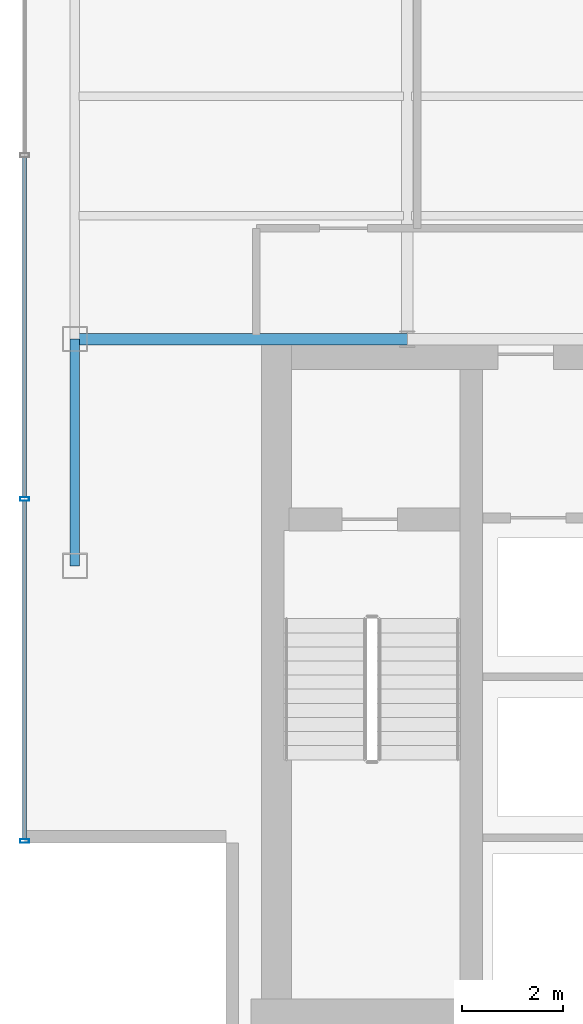
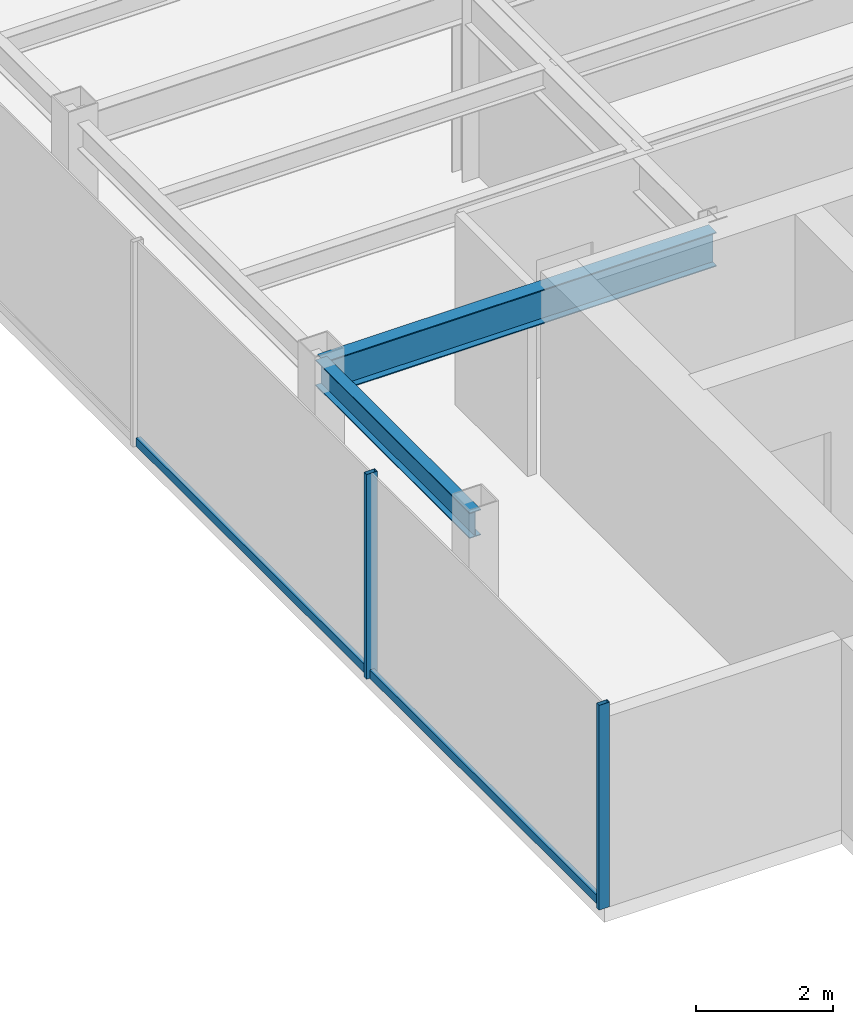
# One storey, part 3 of 22: 4 members, 2 beams, 1 element without a shape of its own.
"""IFC4 building model written with IfcOpenShell, lengths in metres."""

from ifc_helpers import new_model, si_unit, derived_unit, direction, frame, origin, origin_2d, place, context, subcontext, project, spatial, hollow_rectangle, i_section, extrude, source, transform, mapped, material, material_profile, profile_set, type_object, element, aggregate, save


model = new_model("IFC4")

# Units and contexts
model_context = context("Model", 3, precision=1e-05, world=origin(), true_north=direction((0.0, 1.0)))
body_context = subcontext(model_context, "Body", "Model", "MODEL_VIEW")
ifc_project = project(units=[si_unit("LENGTHUNIT", "METRE"), si_unit("AREAUNIT", "SQUARE_METRE"), si_unit("VOLUMEUNIT", "CUBIC_METRE"), si_unit("PLANEANGLEUNIT", "RADIAN"), si_unit("MASSUNIT", "GRAM", prefix="KILO"), derived_unit("THERMALTRANSMITTANCEUNIT", [(si_unit("POWERUNIT", "WATT"), 1), (si_unit("LENGTHUNIT", "METRE"), -2), (si_unit("THERMODYNAMICTEMPERATUREUNIT", "KELVIN"), -1)])], contexts=[model_context])

# Site, building, storey
site_placement = place(None, origin())
site = spatial("IfcSite", under=ifc_project, at=site_placement, CompositionType="ELEMENT")
building_placement = place(site_placement, origin())
building = spatial("IfcBuilding", under=site, at=building_placement, Name="Skarnbrae Concourse Arena and Tower", CompositionType="ELEMENT")
storey_placement = place(building_placement, frame((0.0, 0.0, 217.800048828125)))
storey = spatial("IfcBuildingStorey", under=building, at=storey_placement, Name="L56", CompositionType="ELEMENT", Elevation=217.800048828125)

# Beams
ifc_material_1 = material(Name="Steel CSA G40.21 350W", Category="steel")
ifc_material_profile_1 = material_profile(ifc_material_1, i_section(OverallWidth=0.22802734375, OverallDepth=0.60791015625, WebThickness=0.01123046875, FlangeThickness=0.017333984375, at=origin_2d()), Name="W610X113")
ifc_profile_set_1 = profile_set([ifc_material_profile_1], Name="Steel CSA G40.21 350W")
beam_type_1 = type_object("IfcBeamType", Name="BM-GIRD-W610X113", PredefinedType="BEAM", material=ifc_profile_set_1)
shared_shape_1 = source(origin(), body_context, "Body", "SweptSolid", [
    extrude(i_section(OverallWidth=0.22802734375, OverallDepth=0.60791015625, WebThickness=0.01123046875, FlangeThickness=0.017333984375, at=origin_2d()), origin(), (0.0, 0.0, 1.0), 6.60009765625),
])
beam_1_placement = place(storey_placement, frame((1.0, 14.0, 3.095947265625), z_axis=(1.0, 0.0, 0.0), x_axis=(0.0, 1.0, 0.0)))
element("IfcBeam", 1, at=beam_1_placement, inside=storey, type_object=beam_type_1, Name="L56 Primary E-W girder Y14.0-1", PredefinedType="BEAM", context=body_context, shape_type="MappedRepresentation", body=[
    mapped(shared_shape_1, transform((0.0, 0.0, 0.0))),
])
ifc_material_profile_2 = material_profile(ifc_material_1, i_section(OverallWidth=0.19091796875, OverallDepth=0.4599609375, WebThickness=0.010009765625, FlangeThickness=0.01611328125, at=origin_2d()), Name="W460X82")
ifc_profile_set_2 = profile_set([ifc_material_profile_2], Name="Steel CSA G40.21 350W")
beam_type_2 = type_object("IfcBeamType", Name="BM-SPAN-W460X82", PredefinedType="SPANDREL", material=ifc_profile_set_2)
shared_shape_2 = source(origin(), body_context, "Body", "SweptSolid", [
    extrude(i_section(OverallWidth=0.19091796875, OverallDepth=0.4599609375, WebThickness=0.010009765625, FlangeThickness=0.01611328125, at=origin_2d()), origin(), (0.0, 0.0, 1.0), 4.5),
])
beam_2_placement = place(storey_placement, frame((1.0, 9.5, 3.169921875), z_axis=(0.0, 1.0, 0.0), x_axis=(-1.0, 0.0, 0.0)))
element("IfcBeam", 2, at=beam_2_placement, inside=storey, type_object=beam_type_2, Name="L56 Perimeter spandrel X1.0-1", PredefinedType="SPANDREL", context=body_context, shape_type="MappedRepresentation", body=[
    mapped(shared_shape_2, transform((0.0, 0.0, 0.0))),
])

# Curtain wall, members
ifc_material_2 = material(Name="Bronze anodised aluminium 6063-T6", Category="aluminium")
curtain_wall_type = type_object("IfcCurtainWallType", Name="CW-SYS-05-HIGHZONE", PredefinedType="USERDEFINED", material=ifc_material_2)
curtain_wall_placement = place(storey_placement, origin())
curtain_wall = element("IfcCurtainWall", 3, at=curtain_wall_placement, inside=storey, type_object=curtain_wall_type, Name="L56 Unitised curtain wall CW-L56-E18", ObjectType="UNITISED CURTAIN WALL", PredefinedType="USERDEFINED")
ifc_material_profile_3 = material_profile(ifc_material_2, hollow_rectangle(XDim=0.074951171875, YDim=0.179931640625, WallThickness=0.00390625, at=origin_2d()), Name="ALU-MULL-75X180")
ifc_profile_set_3 = profile_set([ifc_material_profile_3], Name="Bronze anodised aluminium 6063-T6")
member_type_1 = type_object("IfcMemberType", Name="CWM-CW-05", PredefinedType="MULLION", material=ifc_profile_set_3)
shared_shape_3 = source(origin(), body_context, "Body", "SweptSolid", [
    extrude(hollow_rectangle(XDim=0.074951171875, YDim=0.179931640625, WallThickness=0.00390625, at=origin_2d()), origin(), (0.0, 0.0, 1.0), 3.64990234375),
])
member_1_placement = place(storey_placement, frame((0.0, 10.824951171875, 0.0), z_axis=(0.0, 0.0, 1.0), x_axis=(0.0, -1.0, 0.0)))
member_1 = element("IfcMember", 4, at=member_1_placement, type_object=member_type_1, Name="CW-L56-E18 Mullion 4", PredefinedType="MULLION", context=body_context, shape_type="MappedRepresentation", body=[
    mapped(shared_shape_3, transform((0.0, 0.0, 0.0))),
])
member_2_placement = place(storey_placement, frame((0.0, 4.03759765625, 0.0), z_axis=(0.0, 0.0, 1.0), x_axis=(0.0, -1.0, 0.0)))
member_2 = element("IfcMember", 5, at=member_2_placement, type_object=member_type_1, Name="CW-L56-E18 Mullion 5", PredefinedType="MULLION", context=body_context, shape_type="MappedRepresentation", body=[
    mapped(shared_shape_3, transform((0.0, 0.0, 0.0))),
])
ifc_material_profile_4 = material_profile(ifc_material_2, hollow_rectangle(XDim=0.074951171875, YDim=0.14990234375, WallThickness=0.00390625, at=origin_2d()), Name="ALU-TRAN-75X150")
ifc_profile_set_4 = profile_set([ifc_material_profile_4], Name="Bronze anodised aluminium 6063-T6")
member_type_2 = type_object("IfcMemberType", Name="CWT-CW-05", PredefinedType="USERDEFINED", material=ifc_profile_set_4)
shared_shape_4 = source(origin(), body_context, "Body", "SweptSolid", [
    extrude(hollow_rectangle(XDim=0.074951171875, YDim=0.14990234375, WallThickness=0.00390625, at=origin_2d()), origin(), (0.0, 0.0, 1.0), 6.712646484375),
])
member_3_placement = place(storey_placement, frame((0.0, 10.78759765625, 0.074951171875), z_axis=(0.0, -1.0, 0.0), x_axis=(1.0, 0.0, 0.0)))
member_3 = element("IfcMember", 6, at=member_3_placement, type_object=member_type_2, Name="CW-L56-E18 Transom 4", ObjectType="TRANSOM", PredefinedType="USERDEFINED", context=body_context, shape_type="MappedRepresentation", body=[
    mapped(shared_shape_4, transform((0.0, 0.0, 0.0))),
])
shared_shape_5 = source(origin(), body_context, "Body", "SweptSolid", [
    extrude(hollow_rectangle(XDim=0.074951171875, YDim=0.14990234375, WallThickness=0.00390625, at=origin_2d()), origin(), (0.0, 0.0, 1.0), 6.75),
])
member_4_placement = place(storey_placement, frame((0.0, 17.612548828125, 0.074951171875), z_axis=(0.0, -1.0, 0.0), x_axis=(1.0, 0.0, 0.0)))
member_4 = element("IfcMember", 7, at=member_4_placement, type_object=member_type_2, Name="CW-L56-E18 Transom 3", ObjectType="TRANSOM", PredefinedType="USERDEFINED", context=body_context, shape_type="MappedRepresentation", body=[
    mapped(shared_shape_5, transform((0.0, 0.0, 0.0))),
])
aggregate(curtain_wall, [member_1, member_2, member_4, member_3])

save(model, "model.ifc")
